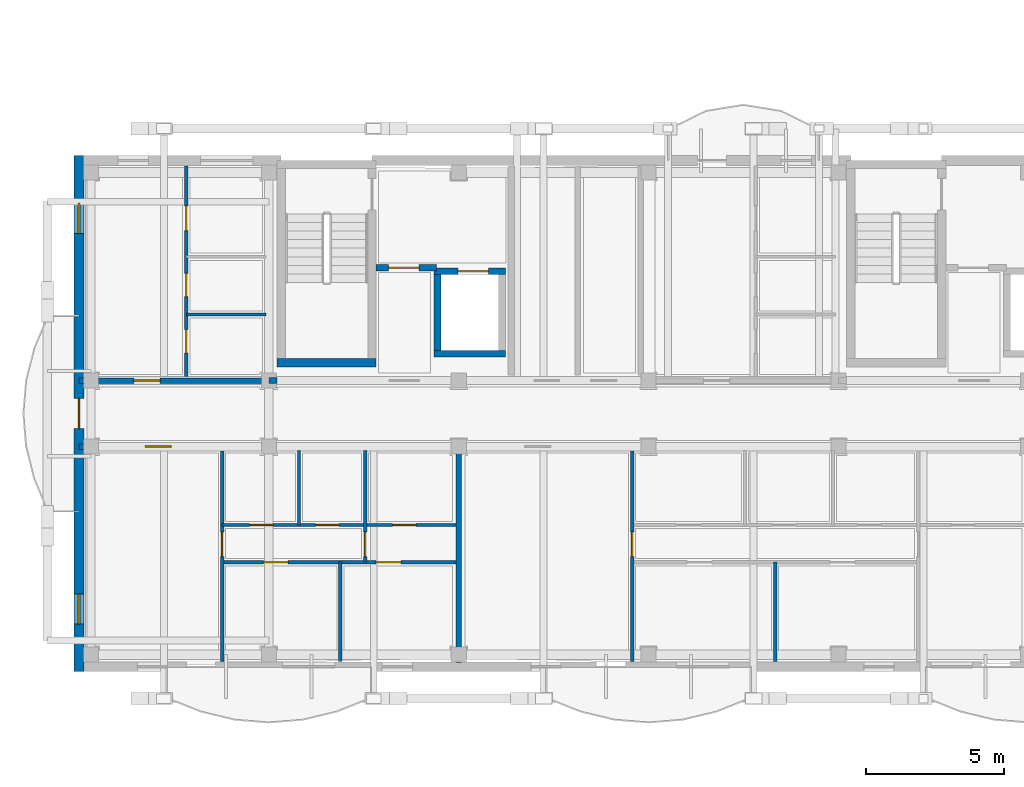
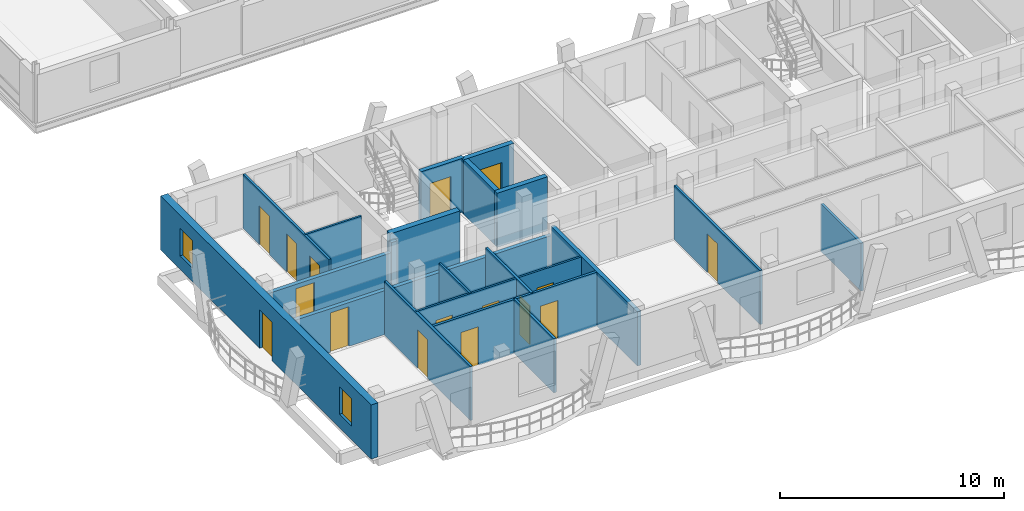
# One storey, part 64 of 109: 20 walls, 16 doors, 2 windows, 18 openings.
"""IFC4 building model written with IfcOpenShell, lengths in metres."""

from ifc_helpers import new_model, si_unit, direction, frame, frame_2d, origin, origin_with_axes, place, context, subcontext, project, spatial, rectangle, extrude, material, layer, layer_set, type_object, element, fill, save


model = new_model("IFC4")

# Units and contexts
model_context = context("Model", 3, precision=1e-05, world=origin(), true_north=direction((0.0, 1.0)))
body_context = subcontext(model_context, "Body", "Model", "MODEL_VIEW")
ifc_project = project(units=[si_unit("LENGTHUNIT", "METRE"), si_unit("AREAUNIT", "SQUARE_METRE"), si_unit("VOLUMEUNIT", "CUBIC_METRE"), si_unit("PLANEANGLEUNIT", "RADIAN"), si_unit("MASSUNIT", "GRAM", prefix="KILO")], contexts=[model_context])

# Site, building, storey
site_placement = place(None, origin())
site = spatial("IfcSite", under=ifc_project, at=site_placement, CompositionType="ELEMENT")
building_placement = place(site_placement, origin())
building = spatial("IfcBuilding", under=site, at=building_placement, Name="Zavelmont Quarter", CompositionType="ELEMENT")
storey_placement = place(building_placement, frame((0.0, 0.0, 8.0)))
storey = spatial("IfcBuildingStorey", under=building, at=storey_placement, Name="L02", CompositionType="ELEMENT", Elevation=8.0)

# Wall, openings, door, windows
ifc_material_1 = material(Name="Natural Belgian limestone", Category="masonry")
ifc_layer_1 = layer(ifc_material_1, 0.360107421875)
ifc_layer_set_1 = layer_set([ifc_layer_1], Name="Natural Belgian limestone")
wall_type_1 = type_object("IfcWallType", Name="EW02", PredefinedType="STANDARD", material=ifc_layer_set_1)
wall_1_placement = place(storey_placement, frame((0.0, -0.179931640625, 0.0), z_axis=(0.0, 0.0, 1.0), x_axis=(0.0, 1.0, 0.0)))
wall_1 = element("IfcWall", 1, at=wall_1_placement, inside=storey, type_object=wall_type_1, Name="L02 exterior limestone wall EW02", PredefinedType="STANDARD", context=body_context, shape_type="SweptSolid", body=[
    extrude(rectangle(XDim=18.760009765625, YDim=0.360107421875, at=frame_2d((9.3798828125, 0.0))), origin(), (0.0, 0.0, 1.0), 2.93994140625),
])
opening_1_placement = place(wall_1_placement, frame((8.830078125, 0.0, 0.0)))
opening_1 = element("IfcOpeningElement", 2, at=opening_1_placement, cuts=wall_1, Name="Opening DR04B", PredefinedType="OPENING", context=body_context, shape_type="SweptSolid", body=[
    extrude(rectangle(XDim=1.10009765625, YDim=2.10009765625, at=frame_2d((0.550048828125, 1.050048828125))), frame((0.0, 0.19189453125, 0.0), z_axis=(0.0, -1.0, 0.0), x_axis=(1.0, 0.0, 0.0)), (0.0, 0.0, 1.0), 0.384033203125),
])
opening_2_placement = place(wall_1_placement, frame((1.72998046875, 0.0, 0.719970703125)))
opening_2 = element("IfcOpeningElement", 3, at=opening_2_placement, cuts=wall_1, Name="Opening WN09", PredefinedType="OPENING", context=body_context, shape_type="SweptSolid", body=[
    extrude(rectangle(XDim=1.10009765625, YDim=1.5, at=frame_2d((0.550048828125, 0.75))), frame((0.0, 0.19189453125, 0.0), z_axis=(0.0, -1.0, 0.0), x_axis=(1.0, 0.0, 0.0)), (0.0, 0.0, 1.0), 0.384033203125),
])
opening_3_placement = place(wall_1_placement, frame((15.929931640625, 0.0, 0.719970703125)))
opening_3 = element("IfcOpeningElement", 4, at=opening_3_placement, cuts=wall_1, Name="Opening WN09", PredefinedType="OPENING", context=body_context, shape_type="SweptSolid", body=[
    extrude(rectangle(XDim=1.10009765625, YDim=1.5, at=frame_2d((0.550048828125, 0.75))), frame((0.0, 0.19189453125, 0.0), z_axis=(0.0, -1.0, 0.0), x_axis=(1.0, 0.0, 0.0)), (0.0, 0.0, 1.0), 0.384033203125),
])
ifc_material_2 = material(Name="Thermally broken aluminium and double safety glass", Category="aluminium")
door_type_1 = type_object("IfcDoorType", Name="DR04B", OperationType="NOTDEFINED", PredefinedType="DOOR", material=ifc_material_2)
door_1_placement = place(opening_1_placement, frame((1.10009765625, 0.0, 0.0), z_axis=(0.0, 0.0, 1.0), x_axis=(-1.0, 0.0, 0.0)))
door_1 = element("IfcDoor", 5, at=door_1_placement, inside=storey, type_object=door_type_1, Name="Block A L02 terrace or vase balcony door", OperationType="SINGLE_SWING_LEFT", OverallHeight=2.10009765625, OverallWidth=1.10009765625, PredefinedType="DOOR", context=body_context, shape_type="SweptSolid", body=[
    extrude(rectangle(XDim=1.10009765625, YDim=2.10009765625, at=frame_2d((0.550048828125, 1.050048828125))), frame((0.0, 0.02490234375, 0.0), z_axis=(0.0, -1.0, 0.0), x_axis=(1.0, 0.0, 0.0)), (0.0, 0.0, 1.0), 0.050048828125),
])
fill(opening_1, door_1)
ifc_material_3 = material(Name="Double low-E insulated glazing in thermally broken aluminium frame", Category="aluminium")
window_type = type_object("IfcWindowType", Name="WN09", PartitioningType="SINGLE_PANEL", PredefinedType="WINDOW", material=ifc_material_3)
window_1_placement = place(opening_2_placement, origin_with_axes())
window_1 = element("IfcWindow", 6, at=window_1_placement, inside=storey, type_object=window_type, Name="L02 window WN09", OverallHeight=1.5, OverallWidth=1.10009765625, PartitioningType="SINGLE_PANEL", PredefinedType="WINDOW", context=body_context, shape_type="SweptSolid", body=[
    extrude(rectangle(XDim=1.10009765625, YDim=1.5, at=frame_2d((0.550048828125, 0.75))), frame((0.0, 0.030029296875, 0.0), z_axis=(0.0, -1.0, 0.0), x_axis=(1.0, 0.0, 0.0)), (0.0, 0.0, 1.0), 0.06005859375),
])
fill(opening_2, window_1)
window_2_placement = place(opening_3_placement, origin_with_axes())
window_2 = element("IfcWindow", 7, at=window_2_placement, inside=storey, type_object=window_type, Name="L02 window WN09", OverallHeight=1.5, OverallWidth=1.10009765625, PartitioningType="SINGLE_PANEL", PredefinedType="WINDOW", context=body_context, shape_type="SweptSolid", body=[
    extrude(rectangle(XDim=1.10009765625, YDim=1.5, at=frame_2d((0.550048828125, 0.75))), frame((0.0, 0.030029296875, 0.0), z_axis=(0.0, -1.0, 0.0), x_axis=(1.0, 0.0, 0.0)), (0.0, 0.0, 1.0), 0.06005859375),
])
fill(opening_3, window_2)

# Wall
ifc_material_4 = material(Name="Calcium-silicate blockwork and acoustic plaster", Category="masonry")
ifc_layer_2 = layer(ifc_material_4, 0.199951171875)
ifc_layer_set_2 = layer_set([ifc_layer_2], Name="Calcium-silicate blockwork and acoustic plaster")
wall_type_2 = type_object("IfcWallType", Name="IW01", PredefinedType="PARTITIONING", material=ifc_layer_set_2)
wall_2_placement = place(storey_placement, frame((13.800048828125, 7.85009765625, 0.0), z_axis=(0.0, 0.0, 1.0), x_axis=(0.0, -1.0, 0.0)))
element("IfcWall", 8, at=wall_2_placement, inside=storey, type_object=wall_type_2, Name="L02 Inter-dwelling compartment wall IW01", PredefinedType="PARTITIONING", context=body_context, shape_type="SweptSolid", body=[
    extrude(rectangle(XDim=7.7001953125, YDim=0.199951171875, at=frame_2d((3.85009765625, 0.0))), origin(), (0.0, 0.0, 1.0), 2.93994140625),
])

# Wall, opening, door
wall_3_placement = place(storey_placement, frame((0.0, 8.0, 0.0), z_axis=(0.0, 0.0, 1.0), x_axis=(1.0, 0.0, 0.0)))
wall_3 = element("IfcWall", 9, at=wall_3_placement, inside=storey, type_object=wall_type_2, Name="L02 Corridor compartment wall IW01", PredefinedType="PARTITIONING", context=body_context, shape_type="SweptSolid", body=[
    extrude(rectangle(XDim=13.800048828125, YDim=0.199951171875, at=frame_2d((6.89990234375, 0.0))), origin(), (0.0, 0.0, 1.0), 2.3798828125),
])
opening_4_placement = place(wall_3_placement, frame((2.39990234375, 0.0, 0.0)))
opening_4 = element("IfcOpeningElement", 10, at=opening_4_placement, cuts=wall_3, Name="Opening DR02", PredefinedType="OPENING", context=body_context, shape_type="SweptSolid", body=[
    extrude(rectangle(XDim=0.949951171875, YDim=2.14990234375, at=frame_2d((0.47509765625, 1.074951171875))), frame((0.0, 0.11181640625, 0.0), z_axis=(0.0, -1.0, 0.0), x_axis=(1.0, 0.0, 0.0)), (0.0, 0.0, 1.0), 0.223876953125),
])
ifc_material_5 = material(Name="Solid-core oak fire leaf in steel frame", Category="steel")
door_type_2 = type_object("IfcDoorType", Name="DR02", OperationType="NOTDEFINED", PredefinedType="DOOR", material=ifc_material_5)
door_2_placement = place(opening_4_placement, frame((0.949951171875, 0.0, 0.0), z_axis=(0.0, 0.0, 1.0), x_axis=(-1.0, 0.0, 0.0)))
door_2 = element("IfcDoor", 11, at=door_2_placement, inside=storey, type_object=door_type_2, Name="L02 door DR02", OperationType="SINGLE_SWING_RIGHT", OverallHeight=2.14990234375, OverallWidth=0.949951171875, PredefinedType="DOOR", context=body_context, shape_type="SweptSolid", body=[
    extrude(rectangle(XDim=0.949951171875, YDim=2.14990234375, at=frame_2d((0.47509765625, 1.074951171875))), frame((0.0, 0.02490234375, 0.0), z_axis=(0.0, -1.0, 0.0), x_axis=(1.0, 0.0, 0.0)), (0.0, 0.0, 1.0), 0.050048828125),
])
fill(opening_4, door_2)

wall_4_placement = place(storey_placement, frame((0.0, 10.39990234375, 0.0), z_axis=(0.0, 0.0, 1.0), x_axis=(1.0, 0.0, 0.0)))
wall_4 = element("IfcWall", 12, at=wall_4_placement, inside=storey, type_object=wall_type_2, Name="L02 Corridor compartment wall IW01", PredefinedType="PARTITIONING", context=body_context, shape_type="SweptSolid", body=[
    extrude(rectangle(XDim=6.89990234375, YDim=0.199951171875, at=frame_2d((3.449951171875, 0.0))), origin(), (0.0, 0.0, 1.0), 2.3798828125),
])
opening_5_placement = place(wall_4_placement, frame((2.0, 0.0, 0.0)))
opening_5 = element("IfcOpeningElement", 13, at=opening_5_placement, cuts=wall_4, Name="Opening DR02", PredefinedType="OPENING", context=body_context, shape_type="SweptSolid", body=[
    extrude(rectangle(XDim=0.949951171875, YDim=2.14990234375, at=frame_2d((0.47509765625, 1.074951171875))), frame((0.0, 0.11181640625, 0.0), z_axis=(0.0, -1.0, 0.0), x_axis=(1.0, 0.0, 0.0)), (0.0, 0.0, 1.0), 0.223876953125),
])
door_3_placement = place(opening_5_placement, origin_with_axes())
door_3 = element("IfcDoor", 14, at=door_3_placement, inside=storey, type_object=door_type_2, Name="L02 door DR02", OperationType="SINGLE_SWING_RIGHT", OverallHeight=2.14990234375, OverallWidth=0.949951171875, PredefinedType="DOOR", context=body_context, shape_type="SweptSolid", body=[
    extrude(rectangle(XDim=0.949951171875, YDim=2.14990234375, at=frame_2d((0.47509765625, 1.074951171875))), frame((0.0, 0.02490234375, 0.0), z_axis=(0.0, -1.0, 0.0), x_axis=(1.0, 0.0, 0.0)), (0.0, 0.0, 1.0), 0.050048828125),
])
fill(opening_5, door_3)

ifc_material_6 = material(Name="Reinforced masonry fire compartment wall", Category="masonry")
ifc_layer_3 = layer(ifc_material_6, 0.22509765625)
ifc_layer_set_3 = layer_set([ifc_layer_3], Name="Reinforced masonry fire compartment wall")
wall_type_3 = type_object("IfcWallType", Name="IW02", PredefinedType="PARTITIONING", material=ifc_layer_set_3)
wall_5_placement = place(storey_placement, frame((10.800048828125, 14.5, 0.0), z_axis=(0.0, 0.0, 1.0), x_axis=(1.0, 0.0, 0.0)))
wall_5 = element("IfcWall", 15, at=wall_5_placement, inside=storey, type_object=wall_type_3, Name="L02 Firefighting lobby threshold wall IW02", PredefinedType="PARTITIONING", context=body_context, shape_type="SweptSolid", body=[
    extrude(rectangle(XDim=2.199951171875, YDim=0.22509765625, at=frame_2d((1.10009765625, 0.0))), origin(), (0.0, 0.0, 1.0), 2.93994140625),
])
opening_6_placement = place(wall_5_placement, frame((0.449951171875, 0.0, 0.0)))
opening_6 = element("IfcOpeningElement", 16, at=opening_6_placement, cuts=wall_5, Name="Opening DR10", PredefinedType="OPENING", context=body_context, shape_type="SweptSolid", body=[
    extrude(rectangle(XDim=1.10009765625, YDim=2.14990234375, at=frame_2d((0.550048828125, 1.074951171875))), frame((0.0, 0.12451171875, 0.0), z_axis=(0.0, -1.0, 0.0), x_axis=(1.0, 0.0, 0.0)), (0.0, 0.0, 1.0), 0.2490234375),
])
ifc_material_7 = material(Name="Painted steel lobby fire door", Category="steel")
door_type_3 = type_object("IfcDoorType", Name="DR10", OperationType="NOTDEFINED", PredefinedType="DOOR", material=ifc_material_7)
door_4_placement = place(opening_6_placement, origin_with_axes())
door_4 = element("IfcDoor", 17, at=door_4_placement, inside=storey, type_object=door_type_3, Name="Firefighting lobby fire door", OperationType="SINGLE_SWING_RIGHT", OverallHeight=2.14990234375, OverallWidth=1.10009765625, PredefinedType="DOOR", context=body_context, shape_type="SweptSolid", body=[
    extrude(rectangle(XDim=1.10009765625, YDim=2.14990234375, at=frame_2d((0.550048828125, 1.074951171875))), frame((0.0, 0.02490234375, 0.0), z_axis=(0.0, -1.0, 0.0), x_axis=(1.0, 0.0, 0.0)), (0.0, 0.0, 1.0), 0.050048828125),
])
fill(opening_6, door_4)

# Wall
wall_6_placement = place(storey_placement, frame((6.89990234375, 10.39990234375, 0.0), z_axis=(0.0, 0.0, 1.0), x_axis=(1.0, 0.0, 0.0)))
element("IfcWall", 18, at=wall_6_placement, inside=storey, type_object=wall_type_3, Name="L02 Core corridor wall IW02", PredefinedType="PARTITIONING", context=body_context, shape_type="SweptSolid", body=[
    extrude(rectangle(XDim=0.300048828125, YDim=0.22509765625, at=frame_2d((0.14990234375, 0.0))), origin(), (0.0, 0.0, 1.0), 2.93994140625),
])

# Wall, opening, door
ifc_material_8 = material(Name="Double gypsum board on acoustic steel stud", Category="steel")
ifc_layer_4 = layer(ifc_material_8, 0.125)
ifc_layer_set_4 = layer_set([ifc_layer_4], Name="Double gypsum board on acoustic steel stud")
wall_type_4 = type_object("IfcWallType", Name="IW03", PredefinedType="PARTITIONING", material=ifc_layer_set_4)
wall_7_placement = place(storey_placement, frame((5.199951171875, 7.85009765625, 0.0), z_axis=(0.0, 0.0, 1.0), x_axis=(0.0, -1.0, 0.0)))
wall_7 = element("IfcWall", 19, at=wall_7_placement, inside=storey, type_object=wall_type_4, Name="L02 Partition IW03", PredefinedType="PARTITIONING", context=body_context, shape_type="SweptSolid", body=[
    extrude(rectangle(XDim=7.650146484375, YDim=0.125, at=frame_2d((3.8251953125, 0.0))), origin(), (0.0, 0.0, 1.0), 2.93994140625),
])
opening_7_placement = place(wall_7_placement, frame((2.949951171875, 0.0, 0.0)))
opening_7 = element("IfcOpeningElement", 20, at=opening_7_placement, cuts=wall_7, Name="Opening DR05", PredefinedType="OPENING", context=body_context, shape_type="SweptSolid", body=[
    extrude(rectangle(XDim=0.89990234375, YDim=2.10009765625, at=frame_2d((0.449951171875, 1.050048828125))), frame((0.0, 0.074462890625, 0.0), z_axis=(0.0, -1.0, 0.0), x_axis=(1.0, 0.0, 0.0)), (0.0, 0.0, 1.0), 0.14892578125),
])
ifc_material_9 = material(Name="Engineered oak flush interior door")
door_type_4 = type_object("IfcDoorType", Name="DR05", OperationType="NOTDEFINED", PredefinedType="DOOR", material=ifc_material_9)
door_5_placement = place(opening_7_placement, frame((0.89990234375, 0.0, 0.0), z_axis=(0.0, 0.0, 1.0), x_axis=(-1.0, 0.0, 0.0)))
door_5 = element("IfcDoor", 21, at=door_5_placement, inside=storey, type_object=door_type_4, Name="L02 door DR05", OperationType="SINGLE_SWING_RIGHT", OverallHeight=2.10009765625, OverallWidth=0.89990234375, PredefinedType="DOOR", context=body_context, shape_type="SweptSolid", body=[
    extrude(rectangle(XDim=0.89990234375, YDim=2.10009765625, at=frame_2d((0.449951171875, 1.050048828125))), frame((0.0, 0.02490234375, 0.0), z_axis=(0.0, -1.0, 0.0), x_axis=(1.0, 0.0, 0.0)), (0.0, 0.0, 1.0), 0.050048828125),
])
fill(opening_7, door_5)

wall_8_placement = place(storey_placement, frame((10.39990234375, 7.85009765625, 0.0), z_axis=(0.0, 0.0, 1.0), x_axis=(0.0, -1.0, 0.0)))
wall_8 = element("IfcWall", 22, at=wall_8_placement, inside=storey, type_object=wall_type_4, Name="L02 Partition IW03", PredefinedType="PARTITIONING", context=body_context, shape_type="SweptSolid", body=[
    extrude(rectangle(XDim=4.050048828125, YDim=0.125, at=frame_2d((2.02490234375, 0.0))), origin(), (0.0, 0.0, 1.0), 2.93994140625),
])
opening_8_placement = place(wall_8_placement, frame((2.949951171875, 0.0, 0.0)))
opening_8 = element("IfcOpeningElement", 23, at=opening_8_placement, cuts=wall_8, Name="Opening DR05", PredefinedType="OPENING", context=body_context, shape_type="SweptSolid", body=[
    extrude(rectangle(XDim=0.89990234375, YDim=2.10009765625, at=frame_2d((0.449951171875, 1.050048828125))), frame((0.0, 0.074462890625, 0.0), z_axis=(0.0, -1.0, 0.0), x_axis=(1.0, 0.0, 0.0)), (0.0, 0.0, 1.0), 0.14892578125),
])
door_6_placement = place(opening_8_placement, origin_with_axes())
door_6 = element("IfcDoor", 24, at=door_6_placement, inside=storey, type_object=door_type_4, Name="L02 door DR05", OperationType="SINGLE_SWING_LEFT", OverallHeight=2.10009765625, OverallWidth=0.89990234375, PredefinedType="DOOR", context=body_context, shape_type="SweptSolid", body=[
    extrude(rectangle(XDim=0.89990234375, YDim=2.10009765625, at=frame_2d((0.449951171875, 1.050048828125))), frame((0.0, 0.02490234375, 0.0), z_axis=(0.0, -1.0, 0.0), x_axis=(1.0, 0.0, 0.0)), (0.0, 0.0, 1.0), 0.050048828125),
])
fill(opening_8, door_6)

# Wall
wall_9_placement = place(storey_placement, frame((9.5, 3.800048828125, 0.0), z_axis=(0.0, 0.0, 1.0), x_axis=(0.0, -1.0, 0.0)))
element("IfcWall", 25, at=wall_9_placement, inside=storey, type_object=wall_type_4, Name="L02 Partition IW03", PredefinedType="PARTITIONING", context=body_context, shape_type="SweptSolid", body=[
    extrude(rectangle(XDim=3.60009765625, YDim=0.125, at=frame_2d((1.800048828125, 0.0))), origin(), (0.0, 0.0, 1.0), 2.93994140625),
])

# Wall, openings, doors
wall_10_placement = place(storey_placement, frame((5.199951171875, 3.800048828125, 0.0), z_axis=(0.0, 0.0, 1.0), x_axis=(1.0, 0.0, 0.0)))
wall_10 = element("IfcWall", 26, at=wall_10_placement, inside=storey, type_object=wall_type_4, Name="L02 Partition IW03", PredefinedType="PARTITIONING", context=body_context, shape_type="SweptSolid", body=[
    extrude(rectangle(XDim=8.5, YDim=0.125, at=frame_2d((4.25, 0.0))), origin(), (0.0, 0.0, 1.0), 2.93994140625),
])
opening_9_placement = place(wall_10_placement, frame((1.5, 0.0, 0.0)))
opening_9 = element("IfcOpeningElement", 27, at=opening_9_placement, cuts=wall_10, Name="Opening DR05", PredefinedType="OPENING", context=body_context, shape_type="SweptSolid", body=[
    extrude(rectangle(XDim=0.89990234375, YDim=2.10009765625, at=frame_2d((0.449951171875, 1.050048828125))), frame((0.0, 0.074462890625, 0.0), z_axis=(0.0, -1.0, 0.0), x_axis=(1.0, 0.0, 0.0)), (0.0, 0.0, 1.0), 0.14892578125),
])
opening_10_placement = place(wall_10_placement, frame((5.60009765625, 0.0, 0.0)))
opening_10 = element("IfcOpeningElement", 28, at=opening_10_placement, cuts=wall_10, Name="Opening DR05", PredefinedType="OPENING", context=body_context, shape_type="SweptSolid", body=[
    extrude(rectangle(XDim=0.89990234375, YDim=2.10009765625, at=frame_2d((0.449951171875, 1.050048828125))), frame((0.0, 0.074462890625, 0.0), z_axis=(0.0, -1.0, 0.0), x_axis=(1.0, 0.0, 0.0)), (0.0, 0.0, 1.0), 0.14892578125),
])
door_7_placement = place(opening_9_placement, origin_with_axes())
door_7 = element("IfcDoor", 29, at=door_7_placement, inside=storey, type_object=door_type_4, Name="L02 door DR05", OperationType="SINGLE_SWING_LEFT", OverallHeight=2.10009765625, OverallWidth=0.89990234375, PredefinedType="DOOR", context=body_context, shape_type="SweptSolid", body=[
    extrude(rectangle(XDim=0.89990234375, YDim=2.10009765625, at=frame_2d((0.449951171875, 1.050048828125))), frame((0.0, 0.02490234375, 0.0), z_axis=(0.0, -1.0, 0.0), x_axis=(1.0, 0.0, 0.0)), (0.0, 0.0, 1.0), 0.050048828125),
])
fill(opening_9, door_7)
door_8_placement = place(opening_10_placement, frame((0.89990234375, 0.0, 0.0), z_axis=(0.0, 0.0, 1.0), x_axis=(-1.0, 0.0, 0.0)))
door_8 = element("IfcDoor", 30, at=door_8_placement, inside=storey, type_object=door_type_4, Name="L02 door DR05", OperationType="SINGLE_SWING_RIGHT", OverallHeight=2.10009765625, OverallWidth=0.89990234375, PredefinedType="DOOR", context=body_context, shape_type="SweptSolid", body=[
    extrude(rectangle(XDim=0.89990234375, YDim=2.10009765625, at=frame_2d((0.449951171875, 1.050048828125))), frame((0.0, 0.02490234375, 0.0), z_axis=(0.0, -1.0, 0.0), x_axis=(1.0, 0.0, 0.0)), (0.0, 0.0, 1.0), 0.050048828125),
])
fill(opening_10, door_8)

# Wall, opening, door
wall_11_placement = place(storey_placement, frame((20.10009765625, 7.85009765625, 0.0), z_axis=(0.0, 0.0, 1.0), x_axis=(0.0, -1.0, 0.0)))
wall_11 = element("IfcWall", 31, at=wall_11_placement, inside=storey, type_object=wall_type_4, Name="L02 Partition IW03", PredefinedType="PARTITIONING", context=body_context, shape_type="SweptSolid", body=[
    extrude(rectangle(XDim=7.650146484375, YDim=0.125, at=frame_2d((3.8251953125, 0.0))), origin(), (0.0, 0.0, 1.0), 2.93994140625),
])
opening_11_placement = place(wall_11_placement, frame((2.949951171875, 0.0, 0.0)))
opening_11 = element("IfcOpeningElement", 32, at=opening_11_placement, cuts=wall_11, Name="Opening DR05", PredefinedType="OPENING", context=body_context, shape_type="SweptSolid", body=[
    extrude(rectangle(XDim=0.89990234375, YDim=2.10009765625, at=frame_2d((0.449951171875, 1.050048828125))), frame((0.0, 0.074462890625, 0.0), z_axis=(0.0, -1.0, 0.0), x_axis=(1.0, 0.0, 0.0)), (0.0, 0.0, 1.0), 0.14892578125),
])
door_9_placement = place(opening_11_placement, frame((0.89990234375, 0.0, 0.0), z_axis=(0.0, 0.0, 1.0), x_axis=(-1.0, 0.0, 0.0)))
door_9 = element("IfcDoor", 33, at=door_9_placement, inside=storey, type_object=door_type_4, Name="L02 door DR05", OperationType="SINGLE_SWING_LEFT", OverallHeight=2.10009765625, OverallWidth=0.89990234375, PredefinedType="DOOR", context=body_context, shape_type="SweptSolid", body=[
    extrude(rectangle(XDim=0.89990234375, YDim=2.10009765625, at=frame_2d((0.449951171875, 1.050048828125))), frame((0.0, 0.02490234375, 0.0), z_axis=(0.0, -1.0, 0.0), x_axis=(1.0, 0.0, 0.0)), (0.0, 0.0, 1.0), 0.050048828125),
])
fill(opening_11, door_9)

# Wall
wall_12_placement = place(storey_placement, frame((25.300048828125, 3.800048828125, 0.0), z_axis=(0.0, 0.0, 1.0), x_axis=(0.0, -1.0, 0.0)))
element("IfcWall", 34, at=wall_12_placement, inside=storey, type_object=wall_type_4, Name="L02 Partition IW03", PredefinedType="PARTITIONING", context=body_context, shape_type="SweptSolid", body=[
    extrude(rectangle(XDim=3.60009765625, YDim=0.125, at=frame_2d((1.800048828125, 0.0))), origin(), (0.0, 0.0, 1.0), 2.590087890625),
])

# Wall, openings, doors
wall_13_placement = place(storey_placement, frame((3.89990234375, 10.550048828125, 0.0), z_axis=(0.0, 0.0, 1.0), x_axis=(0.0, 1.0, 0.0)))
wall_13 = element("IfcWall", 35, at=wall_13_placement, inside=storey, type_object=wall_type_4, Name="L02 Partition IW03", PredefinedType="PARTITIONING", context=body_context, shape_type="SweptSolid", body=[
    extrude(rectangle(XDim=7.64990234375, YDim=0.125, at=frame_2d((3.824951171875, 0.0))), origin(), (0.0, 0.0, 1.0), 2.93994140625),
])
opening_12_placement = place(wall_13_placement, frame((0.85009765625, 0.0, 0.0)))
opening_12 = element("IfcOpeningElement", 36, at=opening_12_placement, cuts=wall_13, Name="Opening DR16", PredefinedType="OPENING", context=body_context, shape_type="SweptSolid", body=[
    extrude(rectangle(XDim=0.85009765625, YDim=2.10009765625, at=frame_2d((0.425048828125, 1.050048828125))), frame((0.0, 0.074462890625, 0.0), z_axis=(0.0, -1.0, 0.0), x_axis=(1.0, 0.0, 0.0)), (0.0, 0.0, 1.0), 0.14892578125),
])
opening_13_placement = place(wall_13_placement, frame((2.89990234375, 0.0, 0.0)))
opening_13 = element("IfcOpeningElement", 37, at=opening_13_placement, cuts=wall_13, Name="Opening DR06", PredefinedType="OPENING", context=body_context, shape_type="SweptSolid", body=[
    extrude(rectangle(XDim=0.85009765625, YDim=2.050048828125, at=frame_2d((0.425048828125, 1.02490234375))), frame((0.0, 0.074462890625, 0.0), z_axis=(0.0, -1.0, 0.0), x_axis=(1.0, 0.0, 0.0)), (0.0, 0.0, 1.0), 0.14892578125),
])
opening_14_placement = place(wall_13_placement, frame((5.300048828125, 0.0, 0.0)))
opening_14 = element("IfcOpeningElement", 38, at=opening_14_placement, cuts=wall_13, Name="Opening DR05", PredefinedType="OPENING", context=body_context, shape_type="SweptSolid", body=[
    extrude(rectangle(XDim=0.89990234375, YDim=2.10009765625, at=frame_2d((0.449951171875, 1.050048828125))), frame((0.0, 0.074462890625, 0.0), z_axis=(0.0, -1.0, 0.0), x_axis=(1.0, 0.0, 0.0)), (0.0, 0.0, 1.0), 0.14892578125),
])
door_10_placement = place(opening_14_placement, frame((0.89990234375, 0.0, 0.0), z_axis=(0.0, 0.0, 1.0), x_axis=(-1.0, 0.0, 0.0)))
door_10 = element("IfcDoor", 39, at=door_10_placement, inside=storey, type_object=door_type_4, Name="L02 door DR05", OperationType="SINGLE_SWING_RIGHT", OverallHeight=2.10009765625, OverallWidth=0.89990234375, PredefinedType="DOOR", context=body_context, shape_type="SweptSolid", body=[
    extrude(rectangle(XDim=0.89990234375, YDim=2.10009765625, at=frame_2d((0.449951171875, 1.050048828125))), frame((0.0, 0.02490234375, 0.0), z_axis=(0.0, -1.0, 0.0), x_axis=(1.0, 0.0, 0.0)), (0.0, 0.0, 1.0), 0.050048828125),
])
fill(opening_14, door_10)
ifc_material_10 = material(Name="Moisture-resistant painted wet-room door")
door_type_5 = type_object("IfcDoorType", Name="DR06", OperationType="NOTDEFINED", PredefinedType="DOOR", material=ifc_material_10)
door_11_placement = place(opening_13_placement, origin_with_axes())
door_11 = element("IfcDoor", 40, at=door_11_placement, inside=storey, type_object=door_type_5, Name="L02 door DR06", OperationType="SINGLE_SWING_LEFT", OverallHeight=2.050048828125, OverallWidth=0.85009765625, PredefinedType="DOOR", context=body_context, shape_type="SweptSolid", body=[
    extrude(rectangle(XDim=0.85009765625, YDim=2.050048828125, at=frame_2d((0.425048828125, 1.02490234375))), frame((0.0, 0.02490234375, 0.0), z_axis=(0.0, -1.0, 0.0), x_axis=(1.0, 0.0, 0.0)), (0.0, 0.0, 1.0), 0.050048828125),
])
fill(opening_13, door_11)
door_type_6 = type_object("IfcDoorType", Name="DR16", OperationType="NOTDEFINED", PredefinedType="DOOR", material=ifc_material_9)
door_12_placement = place(opening_12_placement, frame((0.85009765625, 0.0, 0.0), z_axis=(0.0, 0.0, 1.0), x_axis=(-1.0, 0.0, 0.0)))
door_12 = element("IfcDoor", 41, at=door_12_placement, inside=storey, type_object=door_type_6, Name="L02 door DR16", OperationType="SINGLE_SWING_RIGHT", OverallHeight=2.10009765625, OverallWidth=0.85009765625, PredefinedType="DOOR", context=body_context, shape_type="SweptSolid", body=[
    extrude(rectangle(XDim=0.85009765625, YDim=2.10009765625, at=frame_2d((0.425048828125, 1.050048828125))), frame((0.0, 0.02490234375, 0.0), z_axis=(0.0, -1.0, 0.0), x_axis=(1.0, 0.0, 0.0)), (0.0, 0.0, 1.0), 0.050048828125),
])
fill(opening_12, door_12)

# Wall
ifc_material_11 = material(Name="Moisture-resistant gypsum board on steel stud", Category="steel")
ifc_layer_5 = layer(ifc_material_11, 0.10009765625)
ifc_layer_set_5 = layer_set([ifc_layer_5], Name="Moisture-resistant gypsum board on steel stud")
wall_type_5 = type_object("IfcWallType", Name="IW04", PredefinedType="PARTITIONING", material=ifc_layer_set_5)
wall_14_placement = place(storey_placement, frame((8.0, 7.85009765625, 0.0), z_axis=(0.0, 0.0, 1.0), x_axis=(0.0, -1.0, 0.0)))
element("IfcWall", 42, at=wall_14_placement, inside=storey, type_object=wall_type_5, Name="L02 Partition IW04", PredefinedType="PARTITIONING", context=body_context, shape_type="SweptSolid", body=[
    extrude(rectangle(XDim=2.7001953125, YDim=0.10009765625, at=frame_2d((1.35009765625, 0.0))), origin(), (0.0, 0.0, 1.0), 2.93994140625),
])

# Wall, openings, doors
wall_15_placement = place(storey_placement, frame((5.199951171875, 5.14990234375, 0.0), z_axis=(0.0, 0.0, 1.0), x_axis=(1.0, 0.0, 0.0)))
wall_15 = element("IfcWall", 43, at=wall_15_placement, inside=storey, type_object=wall_type_5, Name="L02 Partition IW04", PredefinedType="PARTITIONING", context=body_context, shape_type="SweptSolid", body=[
    extrude(rectangle(XDim=8.5, YDim=0.10009765625, at=frame_2d((4.25, 0.0))), origin(), (0.0, 0.0, 1.0), 2.93994140625),
])
opening_15_placement = place(wall_15_placement, frame((1.0, 0.0, 0.0)))
opening_15 = element("IfcOpeningElement", 44, at=opening_15_placement, cuts=wall_15, Name="Opening DR16", PredefinedType="OPENING", context=body_context, shape_type="SweptSolid", body=[
    extrude(rectangle(XDim=0.85009765625, YDim=2.10009765625, at=frame_2d((0.425048828125, 1.050048828125))), frame((0.0, 0.06201171875, 0.0), z_axis=(0.0, -1.0, 0.0), x_axis=(1.0, 0.0, 0.0)), (0.0, 0.0, 1.0), 0.1240234375),
])
opening_16_placement = place(wall_15_placement, frame((3.39990234375, 0.0, 0.0)))
opening_16 = element("IfcOpeningElement", 45, at=opening_16_placement, cuts=wall_15, Name="Opening DR06", PredefinedType="OPENING", context=body_context, shape_type="SweptSolid", body=[
    extrude(rectangle(XDim=0.85009765625, YDim=2.050048828125, at=frame_2d((0.425048828125, 1.02490234375))), frame((0.0, 0.06201171875, 0.0), z_axis=(0.0, -1.0, 0.0), x_axis=(1.0, 0.0, 0.0)), (0.0, 0.0, 1.0), 0.1240234375),
])
opening_17_placement = place(wall_15_placement, frame((6.199951171875, 0.0, 0.0)))
opening_17 = element("IfcOpeningElement", 46, at=opening_17_placement, cuts=wall_15, Name="Opening DR06", PredefinedType="OPENING", context=body_context, shape_type="SweptSolid", body=[
    extrude(rectangle(XDim=0.85009765625, YDim=2.050048828125, at=frame_2d((0.425048828125, 1.02490234375))), frame((0.0, 0.06201171875, 0.0), z_axis=(0.0, -1.0, 0.0), x_axis=(1.0, 0.0, 0.0)), (0.0, 0.0, 1.0), 0.1240234375),
])
door_13_placement = place(opening_16_placement, origin_with_axes())
door_13 = element("IfcDoor", 47, at=door_13_placement, inside=storey, type_object=door_type_5, Name="L02 door DR06", OperationType="SINGLE_SWING_LEFT", OverallHeight=2.050048828125, OverallWidth=0.85009765625, PredefinedType="DOOR", context=body_context, shape_type="SweptSolid", body=[
    extrude(rectangle(XDim=0.85009765625, YDim=2.050048828125, at=frame_2d((0.425048828125, 1.02490234375))), frame((0.0, 0.02490234375, 0.0), z_axis=(0.0, -1.0, 0.0), x_axis=(1.0, 0.0, 0.0)), (0.0, 0.0, 1.0), 0.050048828125),
])
fill(opening_16, door_13)
door_14_placement = place(opening_17_placement, frame((0.85009765625, 0.0, 0.0), z_axis=(0.0, 0.0, 1.0), x_axis=(-1.0, 0.0, 0.0)))
door_14 = element("IfcDoor", 48, at=door_14_placement, inside=storey, type_object=door_type_5, Name="L02 door DR06", OperationType="SINGLE_SWING_RIGHT", OverallHeight=2.050048828125, OverallWidth=0.85009765625, PredefinedType="DOOR", context=body_context, shape_type="SweptSolid", body=[
    extrude(rectangle(XDim=0.85009765625, YDim=2.050048828125, at=frame_2d((0.425048828125, 1.02490234375))), frame((0.0, 0.02490234375, 0.0), z_axis=(0.0, -1.0, 0.0), x_axis=(1.0, 0.0, 0.0)), (0.0, 0.0, 1.0), 0.050048828125),
])
fill(opening_17, door_14)
door_15_placement = place(opening_15_placement, frame((0.85009765625, 0.0, 0.0), z_axis=(0.0, 0.0, 1.0), x_axis=(-1.0, 0.0, 0.0)))
door_15 = element("IfcDoor", 49, at=door_15_placement, inside=storey, type_object=door_type_6, Name="L02 door DR16", OperationType="SINGLE_SWING_RIGHT", OverallHeight=2.10009765625, OverallWidth=0.85009765625, PredefinedType="DOOR", context=body_context, shape_type="SweptSolid", body=[
    extrude(rectangle(XDim=0.85009765625, YDim=2.10009765625, at=frame_2d((0.425048828125, 1.050048828125))), frame((0.0, 0.02490234375, 0.0), z_axis=(0.0, -1.0, 0.0), x_axis=(1.0, 0.0, 0.0)), (0.0, 0.0, 1.0), 0.050048828125),
])
fill(opening_15, door_15)

# Walls
wall_16_placement = place(storey_placement, frame((3.89990234375, 12.800048828125, 0.0), z_axis=(0.0, 0.0, 1.0), x_axis=(1.0, 0.0, 0.0)))
element("IfcWall", 50, at=wall_16_placement, inside=storey, type_object=wall_type_5, Name="L02 Partition IW04", PredefinedType="PARTITIONING", context=body_context, shape_type="SweptSolid", body=[
    extrude(rectangle(XDim=2.900146484375, YDim=0.10009765625, at=frame_2d((1.4501953125, 0.0))), origin(), (0.0, 0.0, 1.0), 2.93994140625),
])
ifc_material_12 = material(Name="Concrete C40/50", Category="concrete")
ifc_layer_6 = layer(ifc_material_12, 0.300048828125)
ifc_layer_set_6 = layer_set([ifc_layer_6], Name="Concrete C40/50")
wall_type_6 = type_object("IfcWallType", Name="SW01", PredefinedType="SHEAR", material=ifc_layer_set_6)
wall_17_placement = place(storey_placement, frame((7.199951171875, 11.050048828125, 0.0), z_axis=(0.0, 0.0, 1.0), x_axis=(1.0, 0.0, 0.0)))
element("IfcWall", 51, at=wall_17_placement, inside=storey, type_object=wall_type_6, Name="L02 ST01 corridor shear wall SW01", PredefinedType="SHEAR", context=body_context, shape_type="SweptSolid", body=[
    extrude(rectangle(XDim=3.60009765625, YDim=0.300048828125, at=frame_2d((1.800048828125, 0.0))), origin(), (0.0, 0.0, 1.0), 2.93994140625),
])

# Wall, opening, door
ifc_layer_7 = layer(ifc_material_12, 0.25)
ifc_layer_set_7 = layer_set([ifc_layer_7], Name="Concrete C40/50")
wall_type_7 = type_object("IfcWallType", Name="SW02", PredefinedType="SHEAR", material=ifc_layer_set_7)
wall_18_placement = place(storey_placement, frame((12.89990234375, 14.375, 0.0), z_axis=(0.0, 0.0, 1.0), x_axis=(1.0, 0.0, 0.0)))
wall_18 = element("IfcWall", 52, at=wall_18_placement, inside=storey, type_object=wall_type_7, Name="L02 Lift FL01 landing shaft wall SW02", PredefinedType="SHEAR", context=body_context, shape_type="SweptSolid", body=[
    extrude(rectangle(XDim=2.60009765625, YDim=0.25, at=frame_2d((1.300048828125, 0.0))), origin(), (0.0, 0.0, 1.0), 2.93994140625),
])
opening_18_placement = place(wall_18_placement, frame((0.875, 0.0, 0.0)))
opening_18 = element("IfcOpeningElement", 53, at=opening_18_placement, cuts=wall_18, Name="Opening LD02", PredefinedType="OPENING", context=body_context, shape_type="SweptSolid", body=[
    extrude(rectangle(XDim=1.10009765625, YDim=2.10009765625, at=frame_2d((0.550048828125, 1.050048828125))), frame((0.0, 0.136962890625, 0.0), z_axis=(0.0, -1.0, 0.0), x_axis=(1.0, 0.0, 0.0)), (0.0, 0.0, 1.0), 0.27392578125),
])
ifc_material_13 = material(Name="Brushed stainless-steel firefighting lift landing door", Category="steel")
door_type_7 = type_object("IfcDoorType", Name="LD02", OperationType="SLIDING_TO_LEFT", PredefinedType="DOOR", material=ifc_material_13)
door_16_placement = place(opening_18_placement, origin_with_axes())
door_16 = element("IfcDoor", 54, at=door_16_placement, inside=storey, type_object=door_type_7, Name="Lift FL01 sliding landing door", OperationType="SLIDING_TO_LEFT", OverallHeight=2.10009765625, OverallWidth=1.10009765625, PredefinedType="DOOR", context=body_context, shape_type="SweptSolid", body=[
    extrude(rectangle(XDim=1.10009765625, YDim=2.10009765625, at=frame_2d((0.550048828125, 1.050048828125))), frame((0.0, 0.02490234375, 0.0), z_axis=(0.0, -1.0, 0.0), x_axis=(1.0, 0.0, 0.0)), (0.0, 0.0, 1.0), 0.050048828125),
])
fill(opening_18, door_16)

# Walls
wall_19_placement = place(storey_placement, frame((12.89990234375, 11.375, 0.0), z_axis=(0.0, 0.0, 1.0), x_axis=(1.0, 0.0, 0.0)))
element("IfcWall", 55, at=wall_19_placement, inside=storey, type_object=wall_type_7, Name="L02 Lift FL01 back shaft wall SW02", PredefinedType="SHEAR", context=body_context, shape_type="SweptSolid", body=[
    extrude(rectangle(XDim=2.60009765625, YDim=0.25, at=frame_2d((1.300048828125, 0.0))), origin(), (0.0, 0.0, 1.0), 2.93994140625),
])
wall_20_placement = place(storey_placement, frame((13.02490234375, 11.25, 0.0), z_axis=(0.0, 0.0, 1.0), x_axis=(0.0, 1.0, 0.0)))
element("IfcWall", 56, at=wall_20_placement, inside=storey, type_object=wall_type_7, Name="L02 Lift FL01 west shaft wall SW02", PredefinedType="SHEAR", context=body_context, shape_type="SweptSolid", body=[
    extrude(rectangle(XDim=3.25, YDim=0.25, at=frame_2d((1.625, 0.0))), origin(), (0.0, 0.0, 1.0), 2.93994140625),
])

save(model, "model.ifc")
